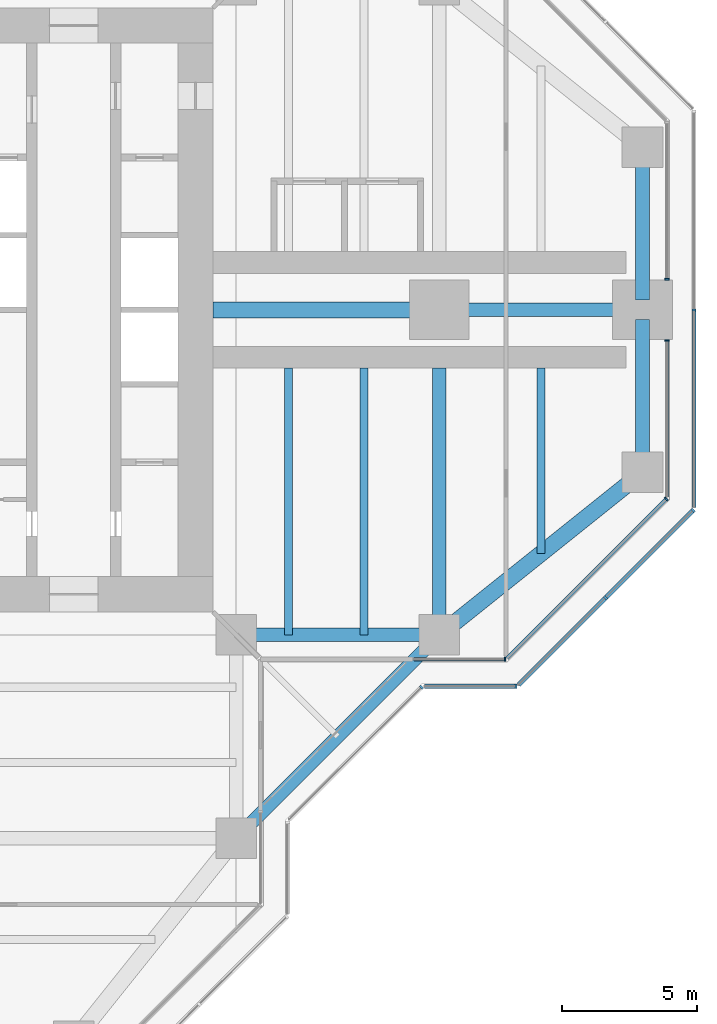
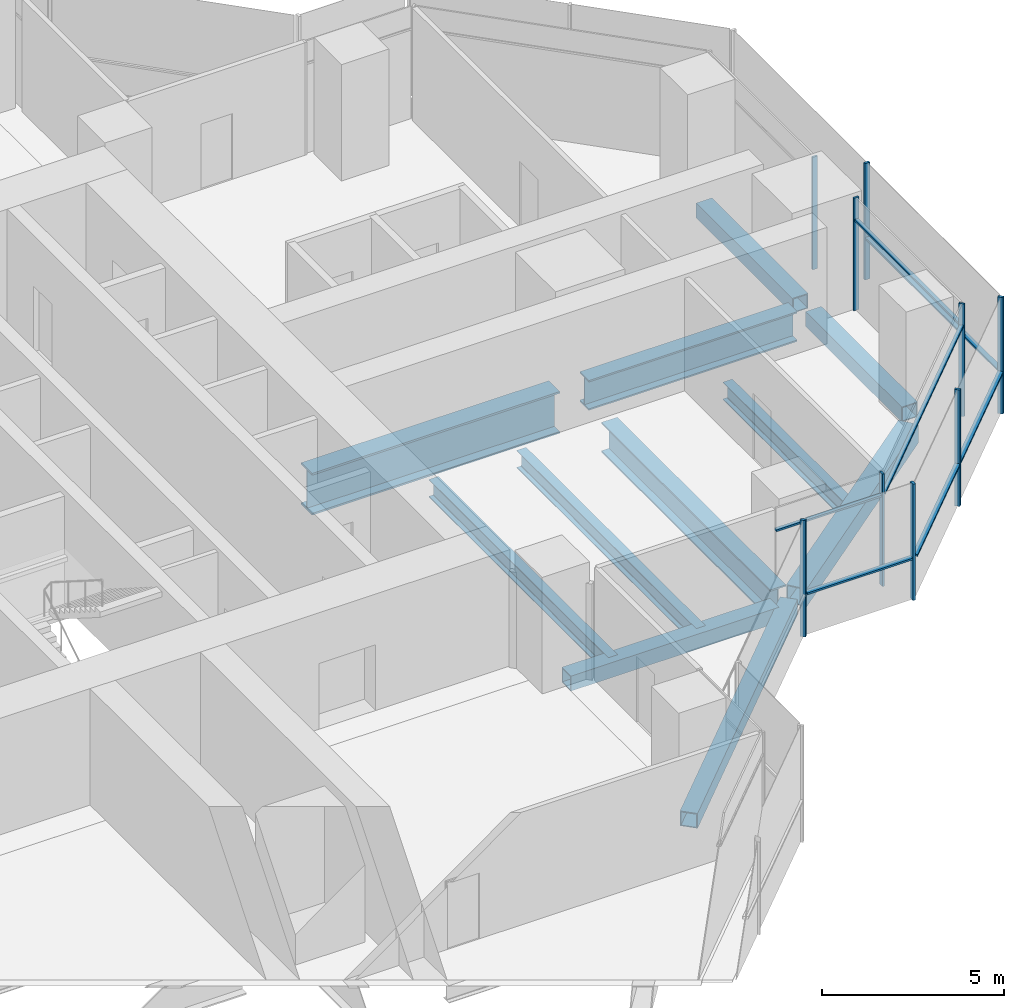
# One storey, part 5 of 17: 16 members, 11 beams, 8 elements without a shape of their own.
"""IFC4 building model written with IfcOpenShell, lengths in metres."""

from ifc_helpers import new_model, si_unit, direction, frame, origin, origin_2d, place, context, subcontext, project, spatial, rectangle, hollow_rectangle, i_section, extrude, material, material_profile, profile_set, type_object, element, aggregate, save


model = new_model("IFC4")

# Units and contexts
model_context = context("Model", 3, precision=1e-05, world=origin(), true_north=direction((0.0, 1.0)))
body_context = subcontext(model_context, "Body", "Model", "MODEL_VIEW")
ifc_project = project(units=[si_unit("LENGTHUNIT", "METRE"), si_unit("AREAUNIT", "SQUARE_METRE"), si_unit("VOLUMEUNIT", "CUBIC_METRE"), si_unit("PLANEANGLEUNIT", "RADIAN"), si_unit("MASSUNIT", "GRAM", prefix="KILO")], contexts=[model_context])

# Site, building, storey
site_placement = place(None, origin())
site = spatial("IfcSite", under=ifc_project, at=site_placement, CompositionType="ELEMENT")
building_placement = place(site_placement, origin())
building = spatial("IfcBuilding", under=site, at=building_placement, Name="Mizan Broadcast Tower", CompositionType="ELEMENT")
storey_placement = place(building_placement, frame((0.0, 0.0, 208.800048828125)))
storey = spatial("IfcBuildingStorey", under=building, at=storey_placement, Name="L48", CompositionType="ELEMENT", Elevation=208.800048828125)

# Beams
ifc_material_1 = material(Name="Steel S355", Category="steel")
ifc_material_profile_1 = material_profile(ifc_material_1, hollow_rectangle(XDim=0.5, YDim=0.5, WallThickness=0.030029296875, at=origin_2d()), Name="BOX 500x500x30")
ifc_profile_set_1 = profile_set([ifc_material_profile_1], Name="Steel S355")
beam_type_1 = type_object("IfcBeamType", Name="EDGE BEAM BOX 500x500x30", PredefinedType="SPANDREL", material=ifc_profile_set_1)
beam_1_placement = place(storey_placement, frame((12.449951171875, -12.0, -0.380126953125), z_axis=(1.0, 0.0, 0.0), x_axis=(0.0, 1.0, 0.0)))
element("IfcBeam", 1, at=beam_1_placement, inside=storey, type_object=beam_type_1, Name="Edge beam BOX 500x500x30 L48 east arm", PredefinedType="SPANDREL", context=body_context, shape_type="SweptSolid", body=[
    extrude(hollow_rectangle(XDim=0.5, YDim=0.5, WallThickness=0.030029296875, at=origin_2d()), origin(), (0.0, 0.0, 1.0), 6.60009765625),
])
for number, where, z_axis, x_axis, name in (
    (2, (27.0, -5.639892578125, -0.380126953125), (0.0, 1.0, 0.0), (-1.0, 0.0, 0.0), "Edge beam BOX 500x500x30 L48 east arm"),
    (3, (27.0, 5.639892578125, -0.380126953125), (0.0, -1.0, 0.0), (1.0, 0.0, 0.0), "Edge beam BOX 500x500x30 L48 east arm"),
):
    element("IfcBeam", number, at=place(storey_placement, frame(where, z_axis=z_axis, x_axis=x_axis)), inside=storey, type_object=beam_type_1, Name=name, PredefinedType="SPANDREL", context=body_context, shape_type="SweptSolid", body=[
        extrude(hollow_rectangle(XDim=0.5, YDim=0.5, WallThickness=0.030029296875, at=origin_2d()), origin(), (0.0, 0.0, 1.0), 5.27978515625),
    ])
beam_2_placement = place(storey_placement, frame((12.0, -19.5, -0.380126953125), z_axis=(0.707106781187, 0.707106781187, 0.0), x_axis=(-0.707106781187, 0.707106781187, 0.0)))
element("IfcBeam", 4, at=beam_2_placement, inside=storey, type_object=beam_type_1, Name="Winter garden edge beam L48 S", PredefinedType="SPANDREL", context=body_context, shape_type="SweptSolid", body=[
    extrude(hollow_rectangle(XDim=0.5, YDim=0.5, WallThickness=0.030029296875, at=origin_2d()), origin(), (0.0, 0.0, 1.0), 10.606689453125),
])
ifc_material_2 = material(Name="Steel S355", Category="steel")
ifc_material_profile_2 = material_profile(ifc_material_2, hollow_rectangle(XDim=0.60009765625, YDim=0.60009765625, WallThickness=0.030029296875, at=origin_2d()), Name="BOX 600x600x30")
ifc_profile_set_2 = profile_set([ifc_material_profile_2], Name="Steel S355")
beam_type_2 = type_object("IfcBeamType", Name="EDGE BEAM BOX 600x600x30", PredefinedType="SPANDREL", material=ifc_profile_set_2)
beam_3_placement = place(storey_placement, frame((19.949951171875, -11.639892578125, -0.429931640625), z_axis=(0.780885717636, 0.624673911726, 0.0), x_axis=(-0.624673911726, 0.780885717636, 0.0)))
element("IfcBeam", 5, at=beam_3_placement, inside=storey, type_object=beam_type_2, Name="Edge beam BOX 600x600x30 L48 east arm", PredefinedType="SPANDREL", context=body_context, shape_type="SweptSolid", body=[
    extrude(hollow_rectangle(XDim=0.60009765625, YDim=0.60009765625, WallThickness=0.030029296875, at=origin_2d()), origin(), (0.0, 0.0, 1.0), 8.4521484375),
])
ifc_material_3 = material(Name="Steel S460", Category="steel")
ifc_material_profile_3 = material_profile(ifc_material_3, i_section(OverallWidth=0.5, OverallDepth=1.0, WebThickness=0.02490234375, FlangeThickness=0.050048828125, at=origin_2d()), Name="WPG 1000x500")
ifc_profile_set_3 = profile_set([ifc_material_profile_3], Name="Steel S460")
beam_type_3 = type_object("IfcBeamType", Name="GIRDER WPG 1000x500", PredefinedType="BEAM", material=ifc_profile_set_3)
beam_4_placement = place(storey_placement, frame((19.949951171875, 0.0, -0.630126953125), z_axis=(1.0, 0.0, 0.0), x_axis=(0.0, 1.0, 0.0)))
element("IfcBeam", 6, at=beam_4_placement, inside=storey, type_object=beam_type_3, Name="Girder WPG 1000x500 L48 east arm", PredefinedType="BEAM", context=body_context, shape_type="SweptSolid", body=[
    extrude(i_section(OverallWidth=0.5, OverallDepth=1.0, WebThickness=0.02490234375, FlangeThickness=0.050048828125, at=origin_2d()), origin(), (0.0, 0.0, 1.0), 6.60009765625),
])
beam_5_placement = place(storey_placement, frame((19.5, -11.408935546875, -0.630126953125), z_axis=(0.0, 1.0, 0.0), x_axis=(-1.0, 0.0, 0.0)))
element("IfcBeam", 7, at=beam_5_placement, inside=storey, type_object=beam_type_3, Name="Girder WPG 1000x500 L48 east arm", PredefinedType="BEAM", context=body_context, shape_type="SweptSolid", body=[
    extrude(i_section(OverallWidth=0.5, OverallDepth=1.0, WebThickness=0.02490234375, FlangeThickness=0.050048828125, at=origin_2d()), origin(), (0.0, 0.0, 1.0), 9.259033203125),
])
ifc_material_4 = material(Name="Steel S460", Category="steel")
ifc_material_profile_4 = material_profile(ifc_material_4, i_section(OverallWidth=0.60009765625, OverallDepth=1.39990234375, WebThickness=0.02490234375, FlangeThickness=0.06005859375, at=origin_2d()), Name="WPG 1400x600")
ifc_profile_set_4 = profile_set([ifc_material_profile_4], Name="Steel S460")
beam_type_4 = type_object("IfcBeamType", Name="GIRDER WPG 1400x600", PredefinedType="BEAM", material=ifc_profile_set_4)
beam_6_placement = place(storey_placement, frame((11.14990234375, 0.0, -0.830078125), z_axis=(1.0, 0.0, 0.0), x_axis=(0.0, 1.0, 0.0)))
element("IfcBeam", 8, at=beam_6_placement, inside=storey, type_object=beam_type_4, Name="Girder WPG 1400x600 L48 east arm", PredefinedType="BEAM", context=body_context, shape_type="SweptSolid", body=[
    extrude(i_section(OverallWidth=0.60009765625, OverallDepth=1.39990234375, WebThickness=0.02490234375, FlangeThickness=0.06005859375, at=origin_2d()), origin(), (0.0, 0.0, 1.0), 7.84912109375),
])

# Curtain wall, member
ifc_material_5 = material(Name="Aluminium framed glazing", Category="aluminium")
curtain_wall_type_1 = type_object("IfcCurtainWallType", Name="INNER SKIN HIGH ZONE", PredefinedType="USERDEFINED", material=ifc_material_5)
curtain_wall_1_placement = place(storey_placement, origin())
curtain_wall_1 = element("IfcCurtainWall", 9, at=curtain_wall_1_placement, inside=storey, type_object=curtain_wall_type_1, Name="Inner skin high zone L48 E side", ObjectType="INNER SKIN HIGH ZONE", PredefinedType="USERDEFINED")
ifc_material_6 = material(Name="Aluminium, pale anodised", Category="aluminium")
ifc_material_profile_5 = material_profile(ifc_material_6, rectangle(XDim=0.159912109375, YDim=0.06005859375, at=origin_2d()), Name="MULLION 160x60")
ifc_profile_set_5 = profile_set([ifc_material_profile_5], Name="Aluminium, pale anodised")
member_type_1 = type_object("IfcMemberType", Name="INNER SKIN MULLION 60x160", PredefinedType="MULLION", material=ifc_profile_set_5)
member_1_placement = place(storey_placement, frame((21.928466796875, -12.89990234375, 0.0), z_axis=(0.0, 0.0, 1.0), x_axis=(0.0, 1.0, 0.0)))
member_1 = element("IfcMember", 10, at=member_1_placement, type_object=member_type_1, Name="Inner skin high zone L48 E side mullion 2", PredefinedType="MULLION", context=body_context, shape_type="SweptSolid", body=[
    extrude(rectangle(XDim=0.159912109375, YDim=0.06005859375, at=origin_2d()), origin(), (0.0, 0.0, 1.0), 3.77001953125),
])

curtain_wall_2_placement = place(storey_placement, origin())
curtain_wall_2 = element("IfcCurtainWall", 11, at=curtain_wall_2_placement, inside=storey, type_object=curtain_wall_type_1, Name="Inner skin high zone L48 E chamfer", ObjectType="INNER SKIN HIGH ZONE", PredefinedType="USERDEFINED")
member_2_placement = place(storey_placement, frame((27.87890625, -6.979736328125, 0.0), z_axis=(0.0, 0.0, 1.0), x_axis=(-0.707106781187, 0.707106781187, 0.0)))
member_2 = element("IfcMember", 12, at=member_2_placement, type_object=member_type_1, Name="Inner skin high zone L48 E chamfer mullion 2", PredefinedType="MULLION", context=body_context, shape_type="SweptSolid", body=[
    extrude(rectangle(XDim=0.159912109375, YDim=0.06005859375, at=origin_2d()), origin(), (0.0, 0.0, 1.0), 3.77001953125),
])

curtain_wall_3_placement = place(storey_placement, origin())
curtain_wall_3 = element("IfcCurtainWall", 13, at=curtain_wall_3_placement, inside=storey, type_object=curtain_wall_type_1, Name="Inner skin high zone L48 E end", ObjectType="INNER SKIN HIGH ZONE", PredefinedType="USERDEFINED")
member_3_placement = place(storey_placement, frame((27.89990234375, -1.1298828125, 0.0), z_axis=(0.0, 0.0, 1.0), x_axis=(-1.0, 0.0, 0.0)))
member_3 = element("IfcMember", 14, at=member_3_placement, type_object=member_type_1, Name="Inner skin high zone L48 E end mullion 2", PredefinedType="MULLION", context=body_context, shape_type="SweptSolid", body=[
    extrude(rectangle(XDim=0.159912109375, YDim=0.06005859375, at=origin_2d()), origin(), (0.0, 0.0, 1.0), 3.77001953125),
])

curtain_wall_4_placement = place(storey_placement, origin())
curtain_wall_4 = element("IfcCurtainWall", 15, at=curtain_wall_4_placement, inside=storey, type_object=curtain_wall_type_1, Name="Inner skin high zone L48 E end", ObjectType="INNER SKIN HIGH ZONE", PredefinedType="USERDEFINED")
member_4_placement = place(storey_placement, frame((27.89990234375, 1.1298828125, 0.0), z_axis=(0.0, 0.0, 1.0), x_axis=(-1.0, 0.0, 0.0)))
member_4 = element("IfcMember", 16, at=member_4_placement, type_object=member_type_1, Name="Inner skin high zone L48 E end mullion 1", PredefinedType="MULLION", context=body_context, shape_type="SweptSolid", body=[
    extrude(rectangle(XDim=0.159912109375, YDim=0.06005859375, at=origin_2d()), origin(), (0.0, 0.0, 1.0), 3.77001953125),
])
aggregate(curtain_wall_4, [member_4])

# Member
ifc_material_7 = material(Name="Aluminium, pale anodised", Category="aluminium")
ifc_material_profile_6 = material_profile(ifc_material_7, rectangle(XDim=0.1201171875, YDim=0.06005859375, at=origin_2d()), Name="TRANSOM 120x60")
ifc_profile_set_6 = profile_set([ifc_material_profile_6], Name="Aluminium, pale anodised")
member_type_2 = type_object("IfcMemberType", Name="INNER SKIN TRANSOM 60x120", PredefinedType="USERDEFINED", material=ifc_profile_set_6)
member_5_placement = place(storey_placement, frame((18.56005859375, -12.89990234375, 3.030029296875), z_axis=(1.0, 0.0, 0.0), x_axis=(0.0, 1.0, 0.0)))
member_5 = element("IfcMember", 17, at=member_5_placement, type_object=member_type_2, Name="Inner skin high zone L48 E side transom 1.1", ObjectType="TRANSOM", PredefinedType="USERDEFINED", context=body_context, shape_type="SweptSolid", body=[
    extrude(rectangle(XDim=0.1201171875, YDim=0.06005859375, at=origin_2d()), origin(), (0.0, 0.0, 1.0), 3.338623046875),
])

aggregate(curtain_wall_1, [member_1, member_5])

member_6_placement = place(storey_placement, frame((22.0009765625, -12.857666015625, 3.030029296875), z_axis=(0.707106781187, 0.707106781187, 0.0), x_axis=(-0.707106781187, 0.707106781187, 0.0)))
member_6 = element("IfcMember", 18, at=member_6_placement, type_object=member_type_2, Name="Inner skin high zone L48 E chamfer transom 1.1", ObjectType="TRANSOM", PredefinedType="USERDEFINED", context=body_context, shape_type="SweptSolid", body=[
    extrude(rectangle(XDim=0.1201171875, YDim=0.06005859375, at=origin_2d()), origin(), (0.0, 0.0, 1.0), 8.28271484375),
])

aggregate(curtain_wall_2, [member_2, member_6])

member_7_placement = place(storey_placement, frame((27.89990234375, -6.898681640625, 3.030029296875), z_axis=(0.0, 1.0, 0.0), x_axis=(-1.0, 0.0, 0.0)))
member_7 = element("IfcMember", 19, at=member_7_placement, type_object=member_type_2, Name="Inner skin high zone L48 E end transom 1.1", ObjectType="TRANSOM", PredefinedType="USERDEFINED", context=body_context, shape_type="SweptSolid", body=[
    extrude(rectangle(XDim=0.1201171875, YDim=0.06005859375, at=origin_2d()), origin(), (0.0, 0.0, 1.0), 5.73876953125),
])

aggregate(curtain_wall_3, [member_3, member_7])

# Curtain wall, members
ifc_material_8 = material(Name="Aluminium framed glazing", Category="aluminium")
curtain_wall_type_2 = type_object("IfcCurtainWallType", Name="OUTER SKIN", PredefinedType="USERDEFINED", material=ifc_material_8)
curtain_wall_5_placement = place(storey_placement, origin())
curtain_wall_5 = element("IfcCurtainWall", 20, at=curtain_wall_5_placement, inside=storey, type_object=curtain_wall_type_2, Name="Outer skin L48 E chamfer", ObjectType="OUTER SKIN", PredefinedType="USERDEFINED")
ifc_material_9 = material(Name="Aluminium, pale anodised", Category="aluminium")
ifc_material_profile_7 = material_profile(ifc_material_9, rectangle(XDim=0.159912109375, YDim=0.080078125, at=origin_2d()), Name="MULLION 160x80")
ifc_profile_set_7 = profile_set([ifc_material_profile_7], Name="Aluminium, pale anodised")
member_type_3 = type_object("IfcMemberType", Name="OUTER SKIN MULLION 80x160", PredefinedType="MULLION", material=ifc_profile_set_7)
member_8_placement = place(storey_placement, frame((25.636474609375, -10.636474609375, 0.0), z_axis=(0.0, 0.0, 1.0), x_axis=(-0.707106781187, 0.707106781187, 0.0)))
member_8 = element("IfcMember", 21, at=member_8_placement, type_object=member_type_3, Name="Outer skin L48 E chamfer mullion 2", PredefinedType="MULLION", context=body_context, shape_type="SweptSolid", body=[
    extrude(rectangle(XDim=0.159912109375, YDim=0.080078125, at=origin_2d()), origin(), (0.0, 0.0, 1.0), 3.89990234375),
])
member_9_placement = place(storey_placement, frame((28.871826171875, -7.401123046875, 0.0), z_axis=(0.0, 0.0, 1.0), x_axis=(-0.707106781187, 0.707106781187, 0.0)))
member_9 = element("IfcMember", 22, at=member_9_placement, type_object=member_type_3, Name="Outer skin L48 E chamfer mullion 3", PredefinedType="MULLION", context=body_context, shape_type="SweptSolid", body=[
    extrude(rectangle(XDim=0.159912109375, YDim=0.080078125, at=origin_2d()), origin(), (0.0, 0.0, 1.0), 3.89990234375),
])

# Curtain wall, member
curtain_wall_6_placement = place(storey_placement, origin())
curtain_wall_6 = element("IfcCurtainWall", 23, at=curtain_wall_6_placement, inside=storey, type_object=curtain_wall_type_2, Name="Outer skin L48 E end", ObjectType="OUTER SKIN", PredefinedType="USERDEFINED")
member_10_placement = place(storey_placement, frame((28.89990234375, 0.0, 0.0), z_axis=(0.0, 0.0, 1.0), x_axis=(-1.0, 0.0, 0.0)))
member_10 = element("IfcMember", 24, at=member_10_placement, type_object=member_type_3, Name="Outer skin L48 E end mullion 2", PredefinedType="MULLION", context=body_context, shape_type="SweptSolid", body=[
    extrude(rectangle(XDim=0.159912109375, YDim=0.080078125, at=origin_2d()), origin(), (0.0, 0.0, 1.0), 3.89990234375),
])

curtain_wall_7_placement = place(storey_placement, origin())
curtain_wall_7 = element("IfcCurtainWall", 25, at=curtain_wall_7_placement, inside=storey, type_object=curtain_wall_type_2, Name="Outer skin L48 E chamfer", ObjectType="OUTER SKIN", PredefinedType="USERDEFINED")
member_11_placement = place(storey_placement, frame((18.844482421875, -13.92822265625, 0.0), z_axis=(0.0, 0.0, 1.0), x_axis=(-0.707106781187, 0.707106781187, 0.0)))
member_11 = element("IfcMember", 26, at=member_11_placement, type_object=member_type_3, Name="Outer skin L48 E chamfer mullion 2", PredefinedType="MULLION", context=body_context, shape_type="SweptSolid", body=[
    extrude(rectangle(XDim=0.159912109375, YDim=0.080078125, at=origin_2d()), origin(), (0.0, 0.0, 1.0), 3.89990234375),
])
aggregate(curtain_wall_7, [member_11])

curtain_wall_8_placement = place(storey_placement, origin())
curtain_wall_8 = element("IfcCurtainWall", 27, at=curtain_wall_8_placement, inside=storey, type_object=curtain_wall_type_2, Name="Outer skin L48 E side", ObjectType="OUTER SKIN", PredefinedType="USERDEFINED")
member_12_placement = place(storey_placement, frame((22.332763671875, -13.89990234375, 0.0), z_axis=(0.0, 0.0, 1.0), x_axis=(0.0, 1.0, 0.0)))
member_12 = element("IfcMember", 28, at=member_12_placement, type_object=member_type_3, Name="Outer skin L48 E side mullion 2", PredefinedType="MULLION", context=body_context, shape_type="SweptSolid", body=[
    extrude(rectangle(XDim=0.159912109375, YDim=0.080078125, at=origin_2d()), origin(), (0.0, 0.0, 1.0), 3.89990234375),
])

# Member
ifc_material_10 = material(Name="Aluminium, pale anodised", Category="aluminium")
ifc_material_profile_8 = material_profile(ifc_material_10, rectangle(XDim=0.159912109375, YDim=0.06005859375, at=origin_2d()), Name="TRANSOM 160x60")
ifc_profile_set_8 = profile_set([ifc_material_profile_8], Name="Aluminium, pale anodised")
member_type_4 = type_object("IfcMemberType", Name="OUTER SKIN TRANSOM 60x160", PredefinedType="USERDEFINED", material=ifc_profile_set_8)
member_13_placement = place(storey_placement, frame((22.429443359375, -13.843505859375, 1.39990234375), z_axis=(0.707106781187, 0.707106781187, 0.0), x_axis=(-0.707106781187, 0.707106781187, 0.0)))
member_13 = element("IfcMember", 29, at=member_13_placement, type_object=member_type_4, Name="Outer skin L48 E chamfer transom 1.1", ObjectType="TRANSOM", PredefinedType="USERDEFINED", context=body_context, shape_type="SweptSolid", body=[
    extrude(rectangle(XDim=0.159912109375, YDim=0.06005859375, at=origin_2d()), origin(), (0.0, 0.0, 1.0), 4.495361328125),
])

member_14_placement = place(storey_placement, frame((25.664794921875, -10.608154296875, 1.39990234375), z_axis=(0.707106781187, 0.707106781187, 0.0), x_axis=(-0.707106781187, 0.707106781187, 0.0)))
member_14 = element("IfcMember", 30, at=member_14_placement, type_object=member_type_4, Name="Outer skin L48 E chamfer transom 2.1", ObjectType="TRANSOM", PredefinedType="USERDEFINED", context=body_context, shape_type="SweptSolid", body=[
    extrude(rectangle(XDim=0.159912109375, YDim=0.06005859375, at=origin_2d()), origin(), (0.0, 0.0, 1.0), 4.495361328125),
])

aggregate(curtain_wall_5, [member_8, member_9, member_13, member_14])

member_15_placement = place(storey_placement, frame((28.89990234375, -7.292724609375, 1.39990234375), z_axis=(0.0, 1.0, 0.0), x_axis=(-1.0, 0.0, 0.0)))
member_15 = element("IfcMember", 31, at=member_15_placement, type_object=member_type_4, Name="Outer skin L48 E end transom 1.1", ObjectType="TRANSOM", PredefinedType="USERDEFINED", context=body_context, shape_type="SweptSolid", body=[
    extrude(rectangle(XDim=0.159912109375, YDim=0.06005859375, at=origin_2d()), origin(), (0.0, 0.0, 1.0), 7.252685546875),
])

aggregate(curtain_wall_6, [member_10, member_15])

member_16_placement = place(storey_placement, frame((18.952880859375, -13.89990234375, 1.39990234375), z_axis=(1.0, 0.0, 0.0), x_axis=(0.0, 1.0, 0.0)))
member_16 = element("IfcMember", 32, at=member_16_placement, type_object=member_type_4, Name="Outer skin L48 E side transom 1.1", ObjectType="TRANSOM", PredefinedType="USERDEFINED", context=body_context, shape_type="SweptSolid", body=[
    extrude(rectangle(XDim=0.159912109375, YDim=0.06005859375, at=origin_2d()), origin(), (0.0, 0.0, 1.0), 3.33984375),
])

aggregate(curtain_wall_8, [member_12, member_16])

# Beams
ifc_material_11 = material(Name="Steel S355", Category="steel")
ifc_material_profile_9 = material_profile(ifc_material_11, i_section(OverallWidth=0.300048828125, OverallDepth=0.590087890625, WebThickness=0.012939453125, FlangeThickness=0.02490234375, FilletRadius=0.027099609375, at=origin_2d()), Name="HEA 600")
ifc_profile_set_9 = profile_set([ifc_material_profile_9], Name="Steel S355")
beam_type_5 = type_object("IfcBeamType", Name="SECONDARY BEAM HEA 600", PredefinedType="JOIST", material=ifc_profile_set_9)
for number, where, z_axis, x_axis, name in (
    (33, (13.933349609375, -12.0, -0.425048828125), (0.0, 1.0, 0.0), (-1.0, 0.0, 0.0), "Secondary beam HEA 600 L48 east arm"),
    (34, (16.716552734375, -12.0, -0.425048828125), (0.0, 1.0, 0.0), (-1.0, 0.0, 0.0), "Secondary beam HEA 600 L48 east arm"),
):
    element("IfcBeam", number, at=place(storey_placement, frame(where, z_axis=z_axis, x_axis=x_axis)), inside=storey, type_object=beam_type_5, Name=name, PredefinedType="JOIST", context=body_context, shape_type="SweptSolid", body=[
        extrude(i_section(OverallWidth=0.300048828125, OverallDepth=0.590087890625, WebThickness=0.012939453125, FlangeThickness=0.02490234375, FilletRadius=0.027099609375, at=origin_2d()), origin(), (0.0, 0.0, 1.0), 9.85009765625),
    ])
beam_7_placement = place(storey_placement, frame((23.25, -9.0, -0.425048828125), z_axis=(0.0, 1.0, 0.0), x_axis=(-1.0, 0.0, 0.0)))
element("IfcBeam", 35, at=beam_7_placement, inside=storey, type_object=beam_type_5, Name="Secondary beam HEA 600 L48 east arm", PredefinedType="JOIST", context=body_context, shape_type="SweptSolid", body=[
    extrude(i_section(OverallWidth=0.300048828125, OverallDepth=0.590087890625, WebThickness=0.012939453125, FlangeThickness=0.02490234375, FilletRadius=0.027099609375, at=origin_2d()), origin(), (0.0, 0.0, 1.0), 6.85009765625),
])

save(model, "model.ifc")
